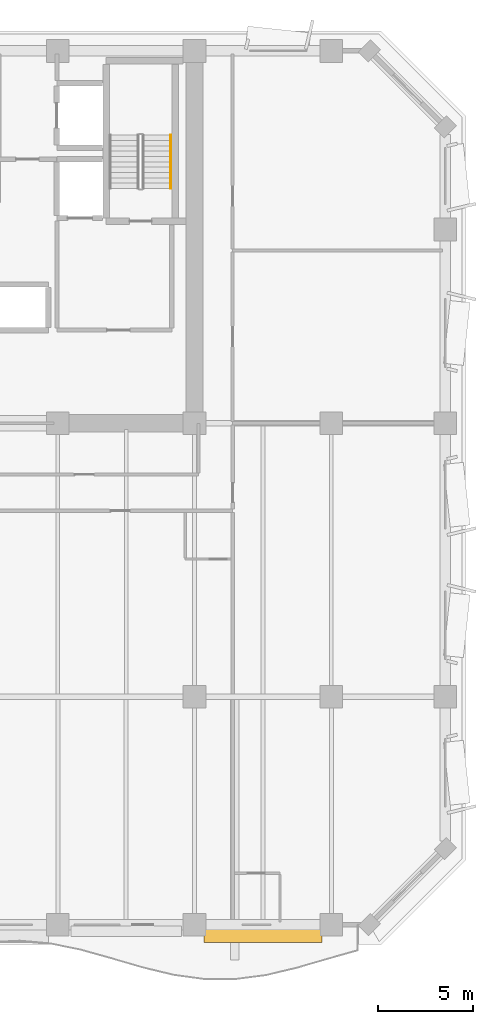
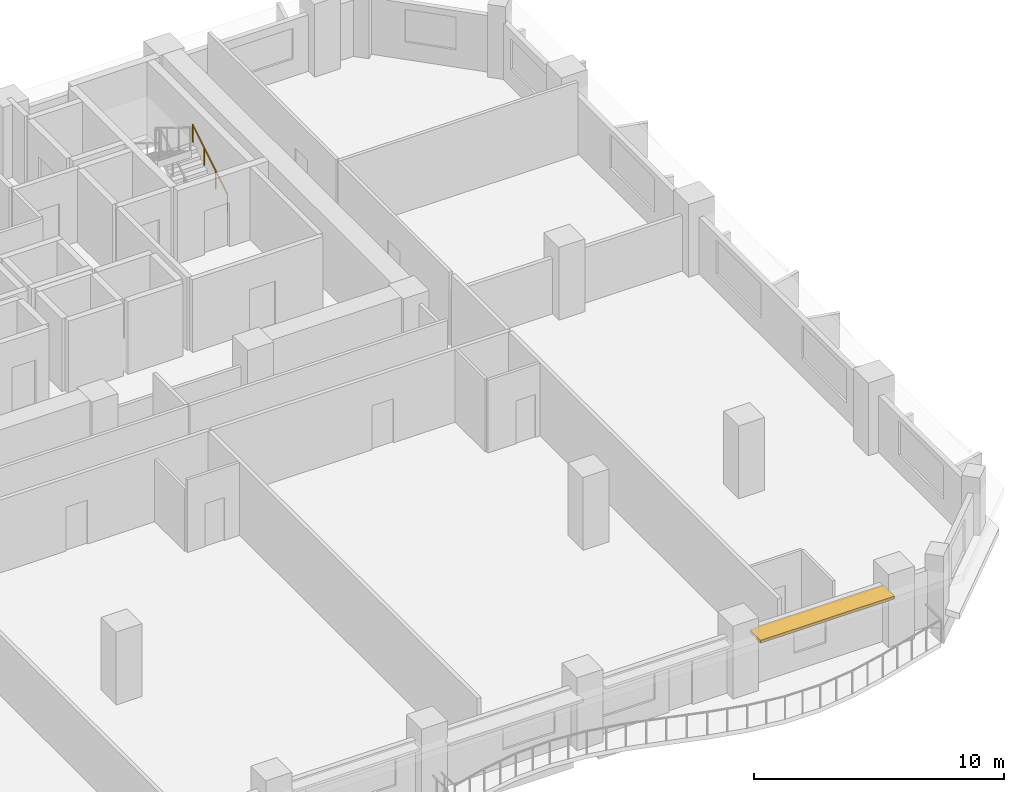
# One storey, part 14 of 14: 1 railing, 1 shading device.
"""IFC4 building model written with IfcOpenShell, lengths in metres."""

from ifc_helpers import new_model, si_unit, direction, frame, origin, origin_2d, place, context, subcontext, project, spatial, rectangle, extrude, material, layer, layer_set, type_object, element, save


model = new_model("IFC4")

# Units and contexts
model_context = context("Model", 3, precision=1e-05, world=origin(), true_north=direction((0.0, 1.0)))
body_context = subcontext(model_context, "Body", "Model", "MODEL_VIEW")
ifc_project = project(units=[si_unit("LENGTHUNIT", "METRE"), si_unit("AREAUNIT", "SQUARE_METRE"), si_unit("VOLUMEUNIT", "CUBIC_METRE"), si_unit("PLANEANGLEUNIT", "RADIAN"), si_unit("MASSUNIT", "GRAM", prefix="KILO")], contexts=[model_context])

# Site, building, storey
site_placement = place(None, origin())
site = spatial("IfcSite", under=ifc_project, at=site_placement, CompositionType="ELEMENT")
building_placement = place(site_placement, origin())
building = spatial("IfcBuilding", under=site, at=building_placement, Name="Kaelvorn Grand Hotel", CompositionType="ELEMENT")
storey_placement = place(building_placement, frame((0.0, 0.0, 220.550048828125)))
storey = spatial("IfcBuildingStorey", under=building, at=storey_placement, Name="L54", CompositionType="ELEMENT", Elevation=220.550048828125)

# Railing
ifc_material_1 = material(Name="Stainless Steel", Category="steel")
railing_type = type_object("IfcRailingType", Name="RL-HANDRAIL-900", PredefinedType="HANDRAIL", material=ifc_material_1)
railing_placement = place(storey_placement, frame((66.550048828125, 41.760009765625, 0.172607421875)))
element("IfcRailing", 1, at=railing_placement, inside=storey, type_object=railing_type, Name="L54 ST3 stair handrail 1", PredefinedType="HANDRAIL", context=body_context, shape_type="SweptSolid", body=[
    extrude(rectangle(XDim=0.048095703125, YDim=0.048095703125, at=origin_2d()), frame((0.0, 0.0, 0.8759765625), z_axis=(0.0, 0.851089632645, 0.525020415988), x_axis=(-1.0, 0.0, 0.0)), (0.0, 0.0, 1.0), 3.2900390625),
    extrude(rectangle(XDim=0.0419921875, YDim=0.0419921875, at=origin_2d()), origin(), (0.0, 0.0, 1.0), 0.851806640625),
    extrude(rectangle(XDim=0.0419921875, YDim=0.0419921875, at=origin_2d()), frame((0.0, 0.933349609375, 0.57568359375)), (0.0, 0.0, 1.0), 0.851806640625),
    extrude(rectangle(XDim=0.0419921875, YDim=0.0419921875, at=origin_2d()), frame((0.0, 1.86669921875, 1.151611328125)), (0.0, 0.0, 1.0), 0.851806640625),
    extrude(rectangle(XDim=0.0419921875, YDim=0.0419921875, at=origin_2d()), frame((0.0, 2.800048828125, 1.727294921875)), (0.0, 0.0, 1.0), 0.851806640625),
])

# Shading device
ifc_material_2 = material(Name="Precast concrete C45/55", Category="concrete")
ifc_layer = layer(ifc_material_2, 0.139892578125)
ifc_layer_set = layer_set([ifc_layer], Name="Precast concrete C45/55")
shading_device_type = type_object("IfcShadingDeviceType", Name="SHD-SUNSHADE-850", PredefinedType="USERDEFINED", material=ifc_layer_set)
shading_device_placement = place(storey_placement, frame((71.39990234375, 2.4951171875, 2.5498046875), z_axis=(0.0, 0.0, 1.0), x_axis=(1.0, 0.0, 0.0)))
element("IfcShadingDevice", 2, at=shading_device_placement, inside=storey, type_object=shading_device_type, Name="L54 Horizontal Concrete Sunshade Band SS-10", ObjectType="SUNSHADE", PredefinedType="USERDEFINED", context=body_context, shape_type="SweptSolid", body=[
    extrude(rectangle(XDim=6.199951171875, YDim=0.85009765625, at=origin_2d()), origin(), (0.0, 0.0, 1.0), 0.139892578125),
])

save(model, "model.ifc")
